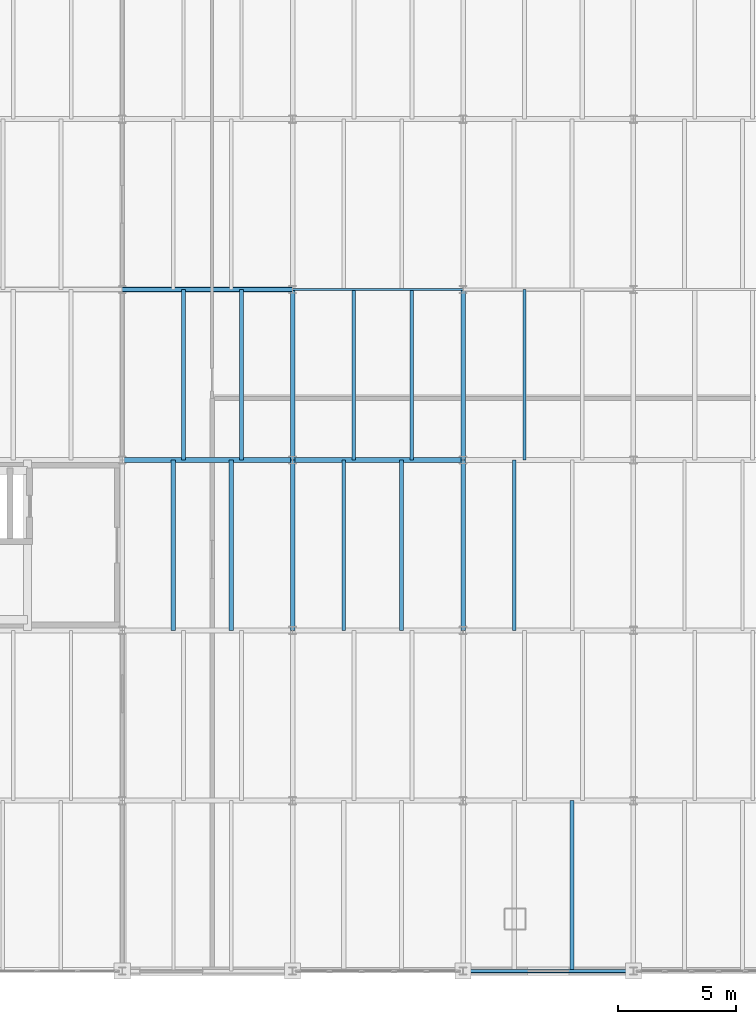
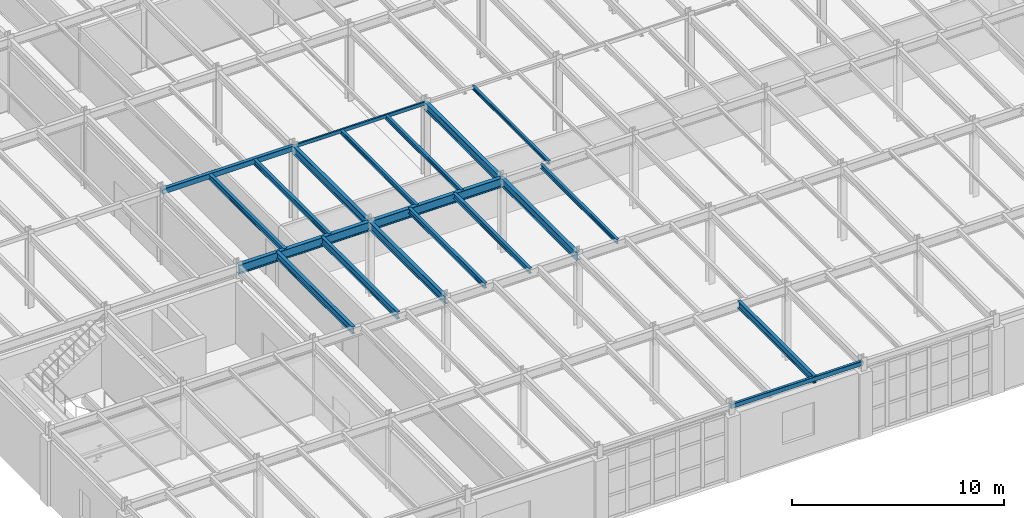
# One storey, part 26 of 137: 20 beams.
"""IFC4 building model written with IfcOpenShell, lengths in metres."""

from ifc_helpers import new_model, si_unit, direction, frame, origin, origin_2d, place, context, subcontext, project, spatial, hollow_rectangle, i_section, extrude, material, material_profile, profile_set, type_object, element, save


model = new_model("IFC4")

# Units and contexts
model_context = context("Model", 3, precision=1e-05, world=origin(), true_north=direction((0.0, 1.0)))
body_context = subcontext(model_context, "Body", "Model", "MODEL_VIEW")
ifc_project = project(units=[si_unit("LENGTHUNIT", "METRE"), si_unit("AREAUNIT", "SQUARE_METRE"), si_unit("VOLUMEUNIT", "CUBIC_METRE"), si_unit("PLANEANGLEUNIT", "RADIAN"), si_unit("MASSUNIT", "GRAM", prefix="KILO")], contexts=[model_context])

# Site, building, storey
site_placement = place(None, origin())
site = spatial("IfcSite", under=ifc_project, at=site_placement, CompositionType="ELEMENT")
building_placement = place(site_placement, origin())
building = spatial("IfcBuilding", under=site, at=building_placement, Name="Kemerveld Promenade Tramway Depot", CompositionType="ELEMENT")
storey_placement = place(building_placement, frame((0.0, 0.0, 5.39990234375)))
storey = spatial("IfcBuildingStorey", under=building, at=storey_placement, Name="L01", CompositionType="ELEMENT", Elevation=5.39990234375)

# Beams
ifc_material = material(Name="Steel S355", Category="steel")
ifc_material_profile_1 = material_profile(ifc_material, i_section(OverallWidth=0.2099609375, OverallDepth=0.53662109375, WebThickness=0.0107421875, FlangeThickness=0.017333984375, FilletRadius=0.0126953125, at=origin_2d()), Name="533x210x101 UB")
ifc_profile_set_1 = profile_set([ifc_material_profile_1], Name="Steel S355")
beam_type_1 = type_object("IfcBeamType", Name="BM-G05", PredefinedType="BEAM", material=ifc_profile_set_1)
beam_1_placement = place(storey_placement, frame((14.39990234375, 21.60009765625, 3.99169921875), z_axis=(1.0, 0.0, 0.0), x_axis=(0.0, 1.0, 0.0)))
element("IfcBeam", 1, at=beam_1_placement, inside=storey, type_object=beam_type_1, Name="BMX-L01-03-04-D", PredefinedType="BEAM", context=body_context, shape_type="SweptSolid", body=[
    extrude(i_section(OverallWidth=0.2099609375, OverallDepth=0.53662109375, WebThickness=0.0107421875, FlangeThickness=0.017333984375, FilletRadius=0.0126953125, at=origin_2d()), origin(), (0.0, 0.0, 1.0), 7.2001953125),
])
beam_2_placement = place(storey_placement, frame((21.60009765625, 21.60009765625, 3.99169921875), z_axis=(1.0, 0.0, 0.0), x_axis=(0.0, 1.0, 0.0)))
element("IfcBeam", 2, at=beam_2_placement, inside=storey, type_object=beam_type_1, Name="BMX-L01-04-05-D", PredefinedType="BEAM", context=body_context, shape_type="SweptSolid", body=[
    extrude(i_section(OverallWidth=0.2099609375, OverallDepth=0.53662109375, WebThickness=0.0107421875, FlangeThickness=0.017333984375, FilletRadius=0.0126953125, at=origin_2d()), origin(), (0.0, 0.0, 1.0), 7.199951171875),
])
ifc_material_profile_2 = material_profile(ifc_material, i_section(OverallWidth=0.19140625, OverallDepth=0.4599609375, WebThickness=0.010009765625, FlangeThickness=0.01611328125, FilletRadius=0.01025390625, at=origin_2d()), Name="457x191x82 UB")
ifc_profile_set_2 = profile_set([ifc_material_profile_2], Name="Steel S355")
beam_type_2 = type_object("IfcBeamType", Name="BM-G06", PredefinedType="BEAM", material=ifc_profile_set_2)
beam_3_placement = place(storey_placement, frame((21.60009765625, 14.39990234375, 4.030029296875), z_axis=(0.0, 1.0, 0.0), x_axis=(-1.0, 0.0, 0.0)))
element("IfcBeam", 3, at=beam_3_placement, inside=storey, type_object=beam_type_2, Name="BMY-L01-04-C-D", PredefinedType="BEAM", context=body_context, shape_type="SweptSolid", body=[
    extrude(i_section(OverallWidth=0.19140625, OverallDepth=0.4599609375, WebThickness=0.010009765625, FlangeThickness=0.01611328125, FilletRadius=0.01025390625, at=origin_2d()), origin(), (0.0, 0.0, 1.0), 7.2001953125),
])
beam_4_placement = place(storey_placement, frame((21.60009765625, 21.60009765625, 4.030029296875), z_axis=(0.0, 1.0, 0.0), x_axis=(-1.0, 0.0, 0.0)))
element("IfcBeam", 4, at=beam_4_placement, inside=storey, type_object=beam_type_2, Name="BMY-L01-04-D-E", PredefinedType="BEAM", context=body_context, shape_type="SweptSolid", body=[
    extrude(i_section(OverallWidth=0.19140625, OverallDepth=0.4599609375, WebThickness=0.010009765625, FlangeThickness=0.01611328125, FilletRadius=0.01025390625, at=origin_2d()), origin(), (0.0, 0.0, 1.0), 7.199951171875),
])
beam_5_placement = place(storey_placement, frame((28.800048828125, 14.39990234375, 4.030029296875), z_axis=(0.0, 1.0, 0.0), x_axis=(-1.0, 0.0, 0.0)))
element("IfcBeam", 5, at=beam_5_placement, inside=storey, type_object=beam_type_2, Name="BMY-L01-05-C-D", PredefinedType="BEAM", context=body_context, shape_type="SweptSolid", body=[
    extrude(i_section(OverallWidth=0.19140625, OverallDepth=0.4599609375, WebThickness=0.010009765625, FlangeThickness=0.01611328125, FilletRadius=0.01025390625, at=origin_2d()), origin(), (0.0, 0.0, 1.0), 7.2001953125),
])
beam_6_placement = place(storey_placement, frame((28.800048828125, 21.60009765625, 4.030029296875), z_axis=(0.0, 1.0, 0.0), x_axis=(-1.0, 0.0, 0.0)))
element("IfcBeam", 6, at=beam_6_placement, inside=storey, type_object=beam_type_2, Name="BMY-L01-05-D-E", PredefinedType="BEAM", context=body_context, shape_type="SweptSolid", body=[
    extrude(i_section(OverallWidth=0.19140625, OverallDepth=0.4599609375, WebThickness=0.010009765625, FlangeThickness=0.01611328125, FilletRadius=0.01025390625, at=origin_2d()), origin(), (0.0, 0.0, 1.0), 7.199951171875),
])
ifc_material_profile_3 = material_profile(ifc_material, hollow_rectangle(XDim=0.14990234375, YDim=0.25, WallThickness=0.010009765625, InnerFilletRadius=0.0048828125, OuterFilletRadius=0.014892578125, at=origin_2d()), Name="250x150x10.0 RHS")
ifc_profile_set_3 = profile_set([ifc_material_profile_3], Name="Steel S355")
beam_type_3 = type_object("IfcBeamType", Name="BM-G17", PredefinedType="BEAM", material=ifc_profile_set_3)
beam_7_placement = place(storey_placement, frame((28.800048828125, 0.0, 4.135009765625), z_axis=(1.0, 0.0, 0.0), x_axis=(0.0, 1.0, 0.0)))
element("IfcBeam", 7, at=beam_7_placement, inside=storey, type_object=beam_type_3, Name="BMX-L01-05-06-A", PredefinedType="BEAM", context=body_context, shape_type="SweptSolid", body=[
    extrude(hollow_rectangle(XDim=0.14990234375, YDim=0.25, WallThickness=0.010009765625, InnerFilletRadius=0.0048828125, OuterFilletRadius=0.014892578125, at=origin_2d()), origin(), (0.0, 0.0, 1.0), 7.199951171875),
])
ifc_material_profile_4 = material_profile(ifc_material, i_section(OverallWidth=0.165771484375, OverallDepth=0.306640625, WebThickness=0.006591796875, FlangeThickness=0.01171875, FilletRadius=0.0087890625, at=origin_2d()), Name="305x165x46 UB")
ifc_profile_set_4 = profile_set([ifc_material_profile_4], Name="Steel S355")
beam_type_4 = type_object("IfcBeamType", Name="BM-J01", PredefinedType="JOIST", material=ifc_profile_set_4)
for number, where, z_axis, x_axis, name in (
    (8, (16.991943359375, 21.60009765625, 4.106689453125), (0.0, 1.0, 0.0), (-1.0, 0.0, 0.0), "JST-L01-03-D-1"),
    (9, (19.43994140625, 21.60009765625, 4.106689453125), (0.0, 1.0, 0.0), (-1.0, 0.0, 0.0), "JST-L01-03-D-2"),
):
    element("IfcBeam", number, at=place(storey_placement, frame(where, z_axis=z_axis, x_axis=x_axis)), inside=storey, type_object=beam_type_4, Name=name, PredefinedType="JOIST", context=body_context, shape_type="SweptSolid", body=[
        extrude(i_section(OverallWidth=0.165771484375, OverallDepth=0.306640625, WebThickness=0.006591796875, FlangeThickness=0.01171875, FilletRadius=0.0087890625, at=origin_2d()), origin(), (0.0, 0.0, 1.0), 7.199951171875),
    ])
for number, where, z_axis, x_axis, name in (
    (10, (23.760009765625, 14.39990234375, 4.106689453125), (0.0, 1.0, 0.0), (-1.0, 0.0, 0.0), "JST-L01-04-C-1"),
    (11, (26.2080078125, 14.39990234375, 4.106689453125), (0.0, 1.0, 0.0), (-1.0, 0.0, 0.0), "JST-L01-04-C-2"),
):
    element("IfcBeam", number, at=place(storey_placement, frame(where, z_axis=z_axis, x_axis=x_axis)), inside=storey, type_object=beam_type_4, Name=name, PredefinedType="JOIST", context=body_context, shape_type="SweptSolid", body=[
        extrude(i_section(OverallWidth=0.165771484375, OverallDepth=0.306640625, WebThickness=0.006591796875, FlangeThickness=0.01171875, FilletRadius=0.0087890625, at=origin_2d()), origin(), (0.0, 0.0, 1.0), 7.2001953125),
    ])
ifc_material_profile_5 = material_profile(ifc_material, i_section(OverallWidth=0.146484375, OverallDepth=0.256103515625, WebThickness=0.00634765625, FlangeThickness=0.010986328125, FilletRadius=0.007568359375, at=origin_2d()), Name="254x146x37 UB")
ifc_profile_set_5 = profile_set([ifc_material_profile_5], Name="Steel S355")
beam_type_5 = type_object("IfcBeamType", Name="BM-J02", PredefinedType="JOIST", material=ifc_profile_set_5)
for number, where, z_axis, x_axis, name in (
    (12, (24.19189453125, 21.60009765625, 4.132080078125), (0.0, 1.0, 0.0), (-1.0, 0.0, 0.0), "JST-L01-04-D-1"),
    (13, (26.639892578125, 21.60009765625, 4.132080078125), (0.0, 1.0, 0.0), (-1.0, 0.0, 0.0), "JST-L01-04-D-2"),
):
    element("IfcBeam", number, at=place(storey_placement, frame(where, z_axis=z_axis, x_axis=x_axis)), inside=storey, type_object=beam_type_5, Name=name, PredefinedType="JOIST", context=body_context, shape_type="SweptSolid", body=[
        extrude(i_section(OverallWidth=0.146484375, OverallDepth=0.256103515625, WebThickness=0.00634765625, FlangeThickness=0.010986328125, FilletRadius=0.007568359375, at=origin_2d()), origin(), (0.0, 0.0, 1.0), 7.199951171875),
    ])
beam_8_placement = place(storey_placement, frame((30.9599609375, 14.39990234375, 4.132080078125), z_axis=(0.0, 1.0, 0.0), x_axis=(-1.0, 0.0, 0.0)))
element("IfcBeam", 14, at=beam_8_placement, inside=storey, type_object=beam_type_5, Name="JST-L01-05-C-1", PredefinedType="JOIST", context=body_context, shape_type="SweptSolid", body=[
    extrude(i_section(OverallWidth=0.146484375, OverallDepth=0.256103515625, WebThickness=0.00634765625, FlangeThickness=0.010986328125, FilletRadius=0.007568359375, at=origin_2d()), origin(), (0.0, 0.0, 1.0), 7.2001953125),
])
ifc_material_profile_6 = material_profile(ifc_material, i_section(OverallWidth=0.13330078125, OverallDepth=0.203125, WebThickness=0.005615234375, FlangeThickness=0.0078125, FilletRadius=0.007568359375, at=origin_2d()), Name="203x133x25 UB")
ifc_profile_set_6 = profile_set([ifc_material_profile_6], Name="Steel S355")
beam_type_6 = type_object("IfcBeamType", Name="BM-J03", PredefinedType="JOIST", material=ifc_profile_set_6)
beam_9_placement = place(storey_placement, frame((31.39208984375, 21.60009765625, 4.158447265625), z_axis=(0.0, 1.0, 0.0), x_axis=(-1.0, 0.0, 0.0)))
element("IfcBeam", 15, at=beam_9_placement, inside=storey, type_object=beam_type_6, Name="JST-L01-05-D-1", PredefinedType="JOIST", context=body_context, shape_type="SweptSolid", body=[
    extrude(i_section(OverallWidth=0.13330078125, OverallDepth=0.203125, WebThickness=0.005615234375, FlangeThickness=0.0078125, FilletRadius=0.007568359375, at=origin_2d()), origin(), (0.0, 0.0, 1.0), 7.199951171875),
])
ifc_material_profile_7 = material_profile(ifc_material, i_section(OverallWidth=0.1787109375, OverallDepth=0.409423828125, WebThickness=0.0087890625, FlangeThickness=0.014404296875, FilletRadius=0.01025390625, at=origin_2d()), Name="406x178x67 UB")
ifc_profile_set_7 = profile_set([ifc_material_profile_7], Name="Steel S355")
beam_type_7 = type_object("IfcBeamType", Name="BM-J05", PredefinedType="JOIST", material=ifc_profile_set_7)
for number, where, z_axis, x_axis, name in (
    (16, (16.56005859375, 14.39990234375, 4.055419921875), (0.0, 1.0, 0.0), (-1.0, 0.0, 0.0), "JST-L01-03-C-1"),
    (17, (19.008056640625, 14.39990234375, 4.055419921875), (0.0, 1.0, 0.0), (-1.0, 0.0, 0.0), "JST-L01-03-C-2"),
):
    element("IfcBeam", number, at=place(storey_placement, frame(where, z_axis=z_axis, x_axis=x_axis)), inside=storey, type_object=beam_type_7, Name=name, PredefinedType="JOIST", context=body_context, shape_type="SweptSolid", body=[
        extrude(i_section(OverallWidth=0.1787109375, OverallDepth=0.409423828125, WebThickness=0.0087890625, FlangeThickness=0.014404296875, FilletRadius=0.01025390625, at=origin_2d()), origin(), (0.0, 0.0, 1.0), 7.2001953125),
    ])
beam_10_placement = place(storey_placement, frame((33.407958984375, 0.0, 4.055419921875), z_axis=(0.0, 1.0, 0.0), x_axis=(-1.0, 0.0, 0.0)))
element("IfcBeam", 18, at=beam_10_placement, inside=storey, type_object=beam_type_7, Name="JST-L01-05-A-2", PredefinedType="JOIST", context=body_context, shape_type="SweptSolid", body=[
    extrude(i_section(OverallWidth=0.1787109375, OverallDepth=0.409423828125, WebThickness=0.0087890625, FlangeThickness=0.014404296875, FilletRadius=0.01025390625, at=origin_2d()), origin(), (0.0, 0.0, 1.0), 7.199951171875),
])
ifc_material_profile_8 = material_profile(ifc_material, hollow_rectangle(XDim=0.199951171875, YDim=0.300048828125, WallThickness=0.012451171875, InnerFilletRadius=0.00634765625, OuterFilletRadius=0.018798828125, at=origin_2d()), Name="300x200x12.5 RHS")
ifc_profile_set_8 = profile_set([ifc_material_profile_8], Name="Steel S355")
beam_type_8 = type_object("IfcBeamType", Name="BM-SP1", PredefinedType="SPANDREL", material=ifc_profile_set_8)
beam_11_placement = place(storey_placement, frame((14.39990234375, 28.800048828125, 4.110107421875), z_axis=(1.0, 0.0, 0.0), x_axis=(0.0, 1.0, 0.0)))
element("IfcBeam", 19, at=beam_11_placement, inside=storey, type_object=beam_type_8, Name="BMX-L01-03-04-E", PredefinedType="SPANDREL", context=body_context, shape_type="SweptSolid", body=[
    extrude(hollow_rectangle(XDim=0.199951171875, YDim=0.300048828125, WallThickness=0.012451171875, InnerFilletRadius=0.00634765625, OuterFilletRadius=0.018798828125, at=origin_2d()), origin(), (0.0, 0.0, 1.0), 7.2001953125),
])
ifc_material_profile_9 = material_profile(ifc_material, hollow_rectangle(XDim=0.10009765625, YDim=0.199951171875, WallThickness=0.008056640625, InnerFilletRadius=0.00390625, OuterFilletRadius=0.011962890625, at=origin_2d()), Name="200x100x8.0 RHS")
ifc_profile_set_9 = profile_set([ifc_material_profile_9], Name="Steel S355")
beam_type_9 = type_object("IfcBeamType", Name="BM-SP3", PredefinedType="SPANDREL", material=ifc_profile_set_9)
beam_12_placement = place(storey_placement, frame((21.60009765625, 28.800048828125, 4.16015625), z_axis=(1.0, 0.0, 0.0), x_axis=(0.0, 1.0, 0.0)))
element("IfcBeam", 20, at=beam_12_placement, inside=storey, type_object=beam_type_9, Name="BMX-L01-04-05-E", PredefinedType="SPANDREL", context=body_context, shape_type="SweptSolid", body=[
    extrude(hollow_rectangle(XDim=0.10009765625, YDim=0.199951171875, WallThickness=0.008056640625, InnerFilletRadius=0.00390625, OuterFilletRadius=0.011962890625, at=origin_2d()), origin(), (0.0, 0.0, 1.0), 7.199951171875),
])

save(model, "model.ifc")
